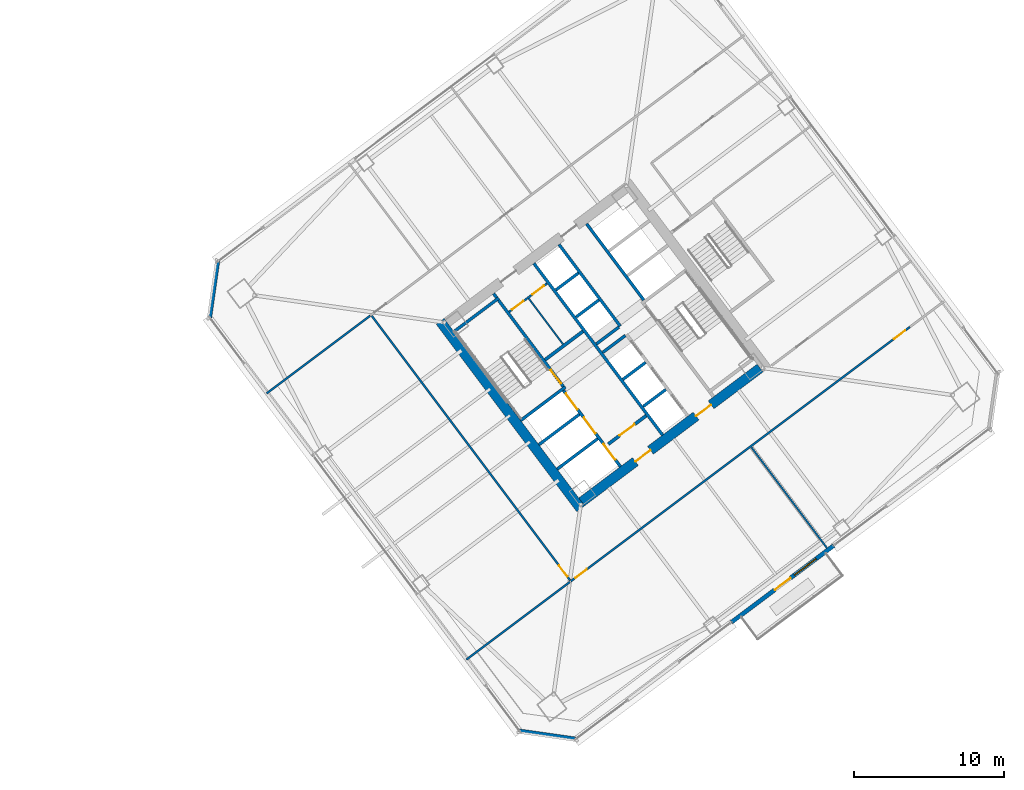
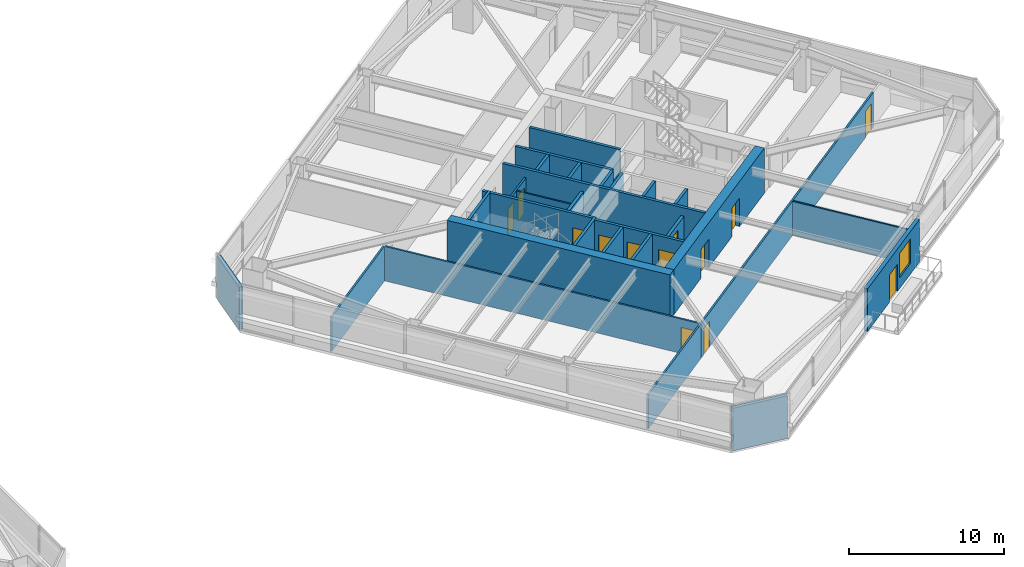
# One storey, part 38 of 47: 29 walls, 13 doors, 1 window, 14 openings.
"""IFC4 building model written with IfcOpenShell, lengths in metres."""

from ifc_helpers import new_model, si_unit, direction, frame, frame_2d, origin, place, context, subcontext, project, spatial, rectangle, extrude, material, layer, layer_set, type_object, element, fill, save


model = new_model("IFC4")

# Units and contexts
model_context = context("Model", 3, precision=1e-05, world=origin(), true_north=direction((0.0, 1.0)))
body_context = subcontext(model_context, "Body", "Model", "MODEL_VIEW")
ifc_project = project(units=[si_unit("LENGTHUNIT", "METRE"), si_unit("AREAUNIT", "SQUARE_METRE"), si_unit("VOLUMEUNIT", "CUBIC_METRE"), si_unit("PLANEANGLEUNIT", "RADIAN"), si_unit("MASSUNIT", "GRAM", prefix="KILO")], contexts=[model_context])

# Site, building, storey
site_placement = place(None, origin())
site = spatial("IfcSite", under=ifc_project, at=site_placement, CompositionType="ELEMENT")
building_placement = place(site_placement, origin())
building = spatial("IfcBuilding", under=site, at=building_placement, Name="Tashvorn Skyway Center", CompositionType="ELEMENT")
storey_placement = place(building_placement, frame((0.0, 0.0, 81.39990234375)))
storey = spatial("IfcBuildingStorey", under=building, at=storey_placement, Name="L21", CompositionType="ELEMENT", Elevation=81.39990234375)

# Wall
ifc_material_1 = material(Name="Concrete C60/75", Category="concrete")
ifc_layer_1 = layer(ifc_material_1, 0.64990234375)
ifc_layer_set_1 = layer_set([ifc_layer_1], Name="Concrete C60/75")
wall_type_1 = type_object("IfcWallType", Name="WALL-CORE-650", PredefinedType="SHEAR", material=ifc_layer_set_1)
wall_1_placement = place(storey_placement, frame((112.47607421875, 21.10693359375, 0.0), z_axis=(0.0, 0.0, 1.0), x_axis=(-0.600005007985, 0.799996243986, 0.0)))
element("IfcWall", 1, at=wall_1_placement, inside=storey, type_object=wall_type_1, Name="Tower 2 L21 West Core Shear Wall", PredefinedType="SHEAR", context=body_context, shape_type="SweptSolid", body=[
    extrude(rectangle(XDim=15.60009765625, YDim=0.64990234375, at=frame_2d((7.800048828125, 0.0))), origin(), (0.0, 0.0, 1.0), 3.550048828125),
])

# Wall, openings, doors
wall_2_placement = place(storey_placement, frame((124.428955078125, 30.47802734375, 0.0), z_axis=(0.0, 0.0, 1.0), x_axis=(-0.799998028465, -0.600002628705, 0.0)))
wall_2 = element("IfcWall", 2, at=wall_2_placement, inside=storey, type_object=wall_type_1, Name="Tower 2 L21 South Core Shear Wall", PredefinedType="SHEAR", context=body_context, shape_type="SweptSolid", body=[
    extrude(rectangle(XDim=14.85986328125, YDim=0.64990234375, at=frame_2d((7.429931640625, 0.0))), origin(), (0.0, 0.0, 1.0), 3.550048828125),
])
opening_1_placement = place(wall_2_placement, frame((9.1298828125, 0.0, 0.0)))
opening_1 = element("IfcOpeningElement", 3, at=opening_1_placement, cuts=wall_2, Name="Opening D-FFL-1250", PredefinedType="OPENING", context=body_context, shape_type="SweptSolid", body=[
    extrude(rectangle(XDim=1.25, YDim=2.25, at=frame_2d((0.625, 1.125))), frame((0.0, 0.3349609375, 0.0), z_axis=(0.0, -1.0, 0.0), x_axis=(1.0, 0.0, 0.0)), (0.0, 0.0, 1.0), 0.669921875),
])
opening_2_placement = place(wall_2_placement, frame((4.080078125, 0.0, 0.0)))
opening_2 = element("IfcOpeningElement", 4, at=opening_2_placement, cuts=wall_2, Name="Opening D-FFL-1250", PredefinedType="OPENING", context=body_context, shape_type="SweptSolid", body=[
    extrude(rectangle(XDim=1.25, YDim=2.25, at=frame_2d((0.625, 1.125))), frame((0.0, 0.3349609375, 0.0), z_axis=(0.0, -1.0, 0.0), x_axis=(1.0, 0.0, 0.0)), (0.0, 0.0, 1.0), 0.669921875),
])
ifc_material_2 = material(Name="Hollow galvanized steel fire door assembly", Category="steel")
door_type_1 = type_object("IfcDoorType", Name="DOOR-FFL-1250", OperationType="NOTDEFINED", PredefinedType="DOOR", material=ifc_material_2)
door_1_placement = place(opening_1_placement, origin())
door_1 = element("IfcDoor", 5, at=door_1_placement, inside=storey, type_object=door_type_1, Name="Tower 2 L21 Core South Firefighting Exit Door", OperationType="SINGLE_SWING_LEFT", OverallHeight=2.25, OverallWidth=1.25, PredefinedType="DOOR", context=body_context, shape_type="SweptSolid", body=[
    extrude(rectangle(XDim=1.25, YDim=2.25, at=frame_2d((0.625, 1.125))), frame((0.0, 0.02490234375, 0.0), z_axis=(0.0, -1.0, 0.0), x_axis=(1.0, 0.0, 0.0)), (0.0, 0.0, 1.0), 0.050048828125),
])
fill(opening_1, door_1)
door_2_placement = place(opening_2_placement, origin())
door_2 = element("IfcDoor", 6, at=door_2_placement, inside=storey, type_object=door_type_1, Name="Tower 2 L21 Core South Lift Lobby Door", OperationType="SINGLE_SWING_RIGHT", OverallHeight=2.25, OverallWidth=1.25, PredefinedType="DOOR", context=body_context, shape_type="SweptSolid", body=[
    extrude(rectangle(XDim=1.25, YDim=2.25, at=frame_2d((0.625, 1.125))), frame((0.0, 0.02490234375, 0.0), z_axis=(0.0, -1.0, 0.0), x_axis=(1.0, 0.0, 0.0)), (0.0, 0.0, 1.0), 0.050048828125),
])
fill(opening_2, door_2)

# Wall, openings, door, window
ifc_material_3 = material(Name="Precast concrete C40/50", Category="concrete")
ifc_layer_2 = layer(ifc_material_3, 0.280029296875)
ifc_layer_set_2 = layer_set([ifc_layer_2], Name="Precast concrete C40/50")
wall_type_2 = type_object("IfcWallType", Name="WALL-EXT-280", PredefinedType="SOLIDWALL", material=ifc_layer_set_2)
wall_3_placement = place(storey_placement, frame((129.327880859375, 18.64599609375, 0.0), z_axis=(0.0, 0.0, 1.0), x_axis=(-0.799986212866, -0.600018382406, 0.0)))
wall_3 = element("IfcWall", 7, at=wall_3_placement, inside=storey, type_object=wall_type_2, Name="Tower 2 L21 South Terrace Portal Wall", PredefinedType="SOLIDWALL", context=body_context, shape_type="SweptSolid", body=[
    extrude(rectangle(XDim=8.5, YDim=0.280029296875, at=frame_2d((4.25, 0.0))), origin(), (0.0, 0.0, 1.0), 3.35009765625),
])
opening_3_placement = place(wall_3_placement, frame((3.60009765625, 0.0, 0.0)))
opening_3 = element("IfcOpeningElement", 8, at=opening_3_placement, cuts=wall_3, Name="Opening D-TER-1300", PredefinedType="OPENING", context=body_context, shape_type="SweptSolid", body=[
    extrude(rectangle(XDim=1.300048828125, YDim=2.14990234375, at=frame_2d((0.64990234375, 1.074951171875))), frame((0.0, 0.14990234375, 0.0), z_axis=(0.0, -1.0, 0.0), x_axis=(1.0, 0.0, 0.0)), (0.0, 0.0, 1.0), 0.300048828125),
])
opening_4_placement = place(wall_3_placement, frame((1.4599609375, 0.0, 0.85009765625)))
opening_4 = element("IfcOpeningElement", 9, at=opening_4_placement, cuts=wall_3, Name="Opening WIN-1800", PredefinedType="OPENING", context=body_context, shape_type="SweptSolid", body=[
    extrude(rectangle(XDim=1.800048828125, YDim=1.919921875, at=frame_2d((0.89990234375, 0.9599609375))), frame((0.0, 0.14990234375, 0.0), z_axis=(0.0, -1.0, 0.0), x_axis=(1.0, 0.0, 0.0)), (0.0, 0.0, 1.0), 0.300048828125),
])
ifc_material_4 = material(Name="Thermally broken bronze-anodized aluminium 6063-T6", Category="aluminium")
door_type_2 = type_object("IfcDoorType", Name="DOOR-TERR-1300", OperationType="NOTDEFINED", PredefinedType="DOOR", material=ifc_material_4)
door_3_placement = place(opening_3_placement, origin())
door_3 = element("IfcDoor", 10, at=door_3_placement, inside=storey, type_object=door_type_2, Name="Tower 2 L21 Terrace Access Door", OperationType="SINGLE_SWING_RIGHT", OverallHeight=2.14990234375, OverallWidth=1.300048828125, PredefinedType="DOOR", context=body_context, shape_type="SweptSolid", body=[
    extrude(rectangle(XDim=1.300048828125, YDim=2.14990234375, at=frame_2d((0.64990234375, 1.074951171875))), frame((0.0, 0.02490234375, 0.0), z_axis=(0.0, -1.0, 0.0), x_axis=(1.0, 0.0, 0.0)), (0.0, 0.0, 1.0), 0.050048828125),
])
fill(opening_3, door_3)
ifc_material_5 = material(Name="Low-E solar-control double insulating safety glass", Category="glass")
window_type = type_object("IfcWindowType", Name="WIN-TERR-1800", PartitioningType="SINGLE_PANEL", PredefinedType="WINDOW", material=ifc_material_5)
window_placement = place(opening_4_placement, origin())
window = element("IfcWindow", 11, at=window_placement, inside=storey, type_object=window_type, Name="Tower 2 L21 Terrace Window", OverallHeight=1.919921875, OverallWidth=1.800048828125, PartitioningType="SINGLE_PANEL", PredefinedType="WINDOW", context=body_context, shape_type="SweptSolid", body=[
    extrude(rectangle(XDim=1.800048828125, YDim=1.919921875, at=frame_2d((0.89990234375, 0.9599609375))), frame((0.0, 0.030029296875, 0.0), z_axis=(0.0, -1.0, 0.0), x_axis=(1.0, 0.0, 0.0)), (0.0, 0.0, 1.0), 0.06005859375),
])
fill(opening_4, window)

# Walls
for number, where, z_axis, x_axis, name in (
    (12, (112.179931640625, 5.760009765625, 0.0), (0.0, 0.0, 1.0), (-0.989948214866, 0.141430307517, 0.0), "Tower 2 L21 SW Precast Chamfer Wall"),
    (13, (87.760009765625, 33.820068359375, 0.0), (0.0, 0.0, 1.0), (0.141430307517, 0.989948214866, 0.0), "Tower 2 L21 NW Precast Chamfer Wall"),
):
    element("IfcWall", number, at=place(storey_placement, frame(where, z_axis=z_axis, x_axis=x_axis)), inside=storey, type_object=wall_type_2, Name=name, PredefinedType="SOLIDWALL", context=body_context, shape_type="SweptSolid", body=[
        extrude(rectangle(XDim=3.818359375, YDim=0.280029296875, at=frame_2d((1.9091796875, 0.0))), origin(), (0.0, 0.0, 1.0), 3.35009765625),
    ])
ifc_material_6 = material(Name="Concrete C40/50", Category="concrete")
ifc_layer_3 = layer(ifc_material_6, 0.219970703125)
ifc_layer_set_3 = layer_set([ifc_layer_3], Name="Concrete C40/50")
wall_type_3 = type_object("IfcWallType", Name="WALL-FFL-220", PredefinedType="SOLIDWALL", material=ifc_layer_set_3)
wall_4_placement = place(storey_placement, frame((110.10400390625, 31.028076171875, 0.0), z_axis=(0.0, 0.0, 1.0), x_axis=(0.800018601094, 0.59997519774, 0.0)))
element("IfcWall", 14, at=wall_4_placement, inside=storey, type_object=wall_type_3, Name="Tower 2 L21 Firefighting Lobby North Wall", PredefinedType="SOLIDWALL", context=body_context, shape_type="SweptSolid", body=[
    extrude(rectangle(XDim=3.14990234375, YDim=0.219970703125, at=frame_2d((1.574951171875, 0.0))), origin(), (0.0, 0.0, 1.0), 2.703125),
])

# Wall, opening, door
wall_5_placement = place(storey_placement, frame((114.31591796875, 25.412109375, 0.0), z_axis=(0.0, 0.0, 1.0), x_axis=(0.800018601094, 0.59997519774, 0.0)))
wall_5 = element("IfcWall", 15, at=wall_5_placement, inside=storey, type_object=wall_type_3, Name="Tower 2 L21 Firefighting Lobby South Wall", PredefinedType="SOLIDWALL", context=body_context, shape_type="SweptSolid", body=[
    extrude(rectangle(XDim=3.14990234375, YDim=0.219970703125, at=frame_2d((1.574951171875, 0.0))), origin(), (0.0, 0.0, 1.0), 2.703125),
])
opening_5_placement = place(wall_5_placement, frame((0.949951171875, 0.0, 0.0)))
opening_5 = element("IfcOpeningElement", 16, at=opening_5_placement, cuts=wall_5, Name="Opening D-FFL-1250", PredefinedType="OPENING", context=body_context, shape_type="SweptSolid", body=[
    extrude(rectangle(XDim=1.25, YDim=2.25, at=frame_2d((0.625, 1.125))), frame((0.0, 0.119873046875, 0.0), z_axis=(0.0, -1.0, 0.0), x_axis=(1.0, 0.0, 0.0)), (0.0, 0.0, 1.0), 0.239990234375),
])
door_4_placement = place(opening_5_placement, origin())
door_4 = element("IfcDoor", 17, at=door_4_placement, inside=storey, type_object=door_type_1, Name="Tower 2 L21 Firefighting Lobby Egress Door", OperationType="SINGLE_SWING_LEFT", OverallHeight=2.25, OverallWidth=1.25, PredefinedType="DOOR", context=body_context, shape_type="SweptSolid", body=[
    extrude(rectangle(XDim=1.25, YDim=2.25, at=frame_2d((0.625, 1.125))), frame((0.0, 0.02490234375, 0.0), z_axis=(0.0, -1.0, 0.0), x_axis=(1.0, 0.0, 0.0)), (0.0, 0.0, 1.0), 0.050048828125),
])
fill(opening_5, door_4)

# Wall
ifc_material_7 = material(Name="Gypsum board on cold-formed steel stud framing", Category="steel")
ifc_layer_4 = layer(ifc_material_7, 0.110107421875)
ifc_layer_set_4 = layer_set([ifc_layer_4], Name="Gypsum board on cold-formed steel stud framing")
wall_type_4 = type_object("IfcWallType", Name="WALL-PART-110", PredefinedType="PARTITIONING", material=ifc_layer_set_4)
wall_6_placement = place(storey_placement, frame((128.8779296875, 18.49609375, 0.0), z_axis=(0.0, 0.0, 1.0), x_axis=(-0.599995338474, 0.800003496123, 0.0)))
element("IfcWall", 18, at=wall_6_placement, inside=storey, type_object=wall_type_4, Name="Tower 2 L21 South Suite Partition 1", PredefinedType="PARTITIONING", context=body_context, shape_type="SweptSolid", body=[
    extrude(rectangle(XDim=8.3798828125, YDim=0.110107421875, at=frame_2d((4.18994140625, 0.0))), origin(), (0.0, 0.0, 1.0), 2.703125),
])

# Wall, openings, doors
ifc_layer_5 = layer(ifc_material_7, 0.135009765625)
ifc_layer_set_5 = layer_set([ifc_layer_5], Name="Gypsum board on cold-formed steel stud framing")
wall_type_5 = type_object("IfcWallType", Name="WALL-PART-135", PredefinedType="PARTITIONING", material=ifc_layer_set_5)
wall_7_placement = place(storey_placement, frame((134.402099609375, 33.214111328125, 0.0), z_axis=(0.0, 0.0, 1.0), x_axis=(-0.799995848831, -0.600005534853, 0.0)))
wall_7 = element("IfcWall", 19, at=wall_7_placement, inside=storey, type_object=wall_type_5, Name="Tower 2 L21 South Suite Wall", PredefinedType="PARTITIONING", context=body_context, shape_type="SweptSolid", body=[
    extrude(rectangle(XDim=28.230224609375, YDim=0.135009765625, at=frame_2d((14.115234375, 0.0))), origin(), (0.0, 0.0, 1.0), 2.703125),
])
opening_6_placement = place(wall_7_placement, frame((26.89990234375, 0.0, 0.0)))
opening_6 = element("IfcOpeningElement", 20, at=opening_6_placement, cuts=wall_7, Name="Opening D-INT-950", PredefinedType="OPENING", context=body_context, shape_type="SweptSolid", body=[
    extrude(rectangle(XDim=0.949951171875, YDim=2.050048828125, at=frame_2d((0.47509765625, 1.02490234375))), frame((0.0, 0.077392578125, 0.0), z_axis=(0.0, -1.0, 0.0), x_axis=(1.0, 0.0, 0.0)), (0.0, 0.0, 1.0), 0.155029296875),
])
opening_7_placement = place(wall_7_placement, frame((0.3798828125, 0.0, 0.0)))
opening_7 = element("IfcOpeningElement", 21, at=opening_7_placement, cuts=wall_7, Name="Opening D-INT-950", PredefinedType="OPENING", context=body_context, shape_type="SweptSolid", body=[
    extrude(rectangle(XDim=0.949951171875, YDim=2.050048828125, at=frame_2d((0.47509765625, 1.02490234375))), frame((0.0, 0.077392578125, 0.0), z_axis=(0.0, -1.0, 0.0), x_axis=(1.0, 0.0, 0.0)), (0.0, 0.0, 1.0), 0.155029296875),
])
ifc_material_8 = material(Name="Solid-core architectural oak veneer door")
door_type_3 = type_object("IfcDoorType", Name="DOOR-INT-950", OperationType="NOTDEFINED", PredefinedType="DOOR", material=ifc_material_8)
door_5_placement = place(opening_6_placement, origin())
door_5 = element("IfcDoor", 22, at=door_5_placement, inside=storey, type_object=door_type_3, Name="Tower 2 L21 Executive Study Lounge Door", OperationType="SINGLE_SWING_RIGHT", OverallHeight=2.050048828125, OverallWidth=0.949951171875, PredefinedType="DOOR", context=body_context, shape_type="SweptSolid", body=[
    extrude(rectangle(XDim=0.949951171875, YDim=2.050048828125, at=frame_2d((0.47509765625, 1.02490234375))), frame((0.0, 0.02490234375, 0.0), z_axis=(0.0, -1.0, 0.0), x_axis=(1.0, 0.0, 0.0)), (0.0, 0.0, 1.0), 0.050048828125),
])
fill(opening_6, door_5)
door_6_placement = place(opening_7_placement, origin())
door_6 = element("IfcDoor", 23, at=door_6_placement, inside=storey, type_object=door_type_3, Name="Tower 2 L21 Reading Lounge Door", OperationType="SINGLE_SWING_LEFT", OverallHeight=2.050048828125, OverallWidth=0.949951171875, PredefinedType="DOOR", context=body_context, shape_type="SweptSolid", body=[
    extrude(rectangle(XDim=0.949951171875, YDim=2.050048828125, at=frame_2d((0.47509765625, 1.02490234375))), frame((0.0, 0.02490234375, 0.0), z_axis=(0.0, -1.0, 0.0), x_axis=(1.0, 0.0, 0.0)), (0.0, 0.0, 1.0), 0.050048828125),
])
fill(opening_7, door_6)

# Wall, opening, door
wall_8_placement = place(storey_placement, frame((111.77001953125, 16.340087890625, 0.0), z_axis=(0.0, 0.0, 1.0), x_axis=(-0.600003549523, 0.799997337845, 0.0)))
wall_8 = element("IfcWall", 24, at=wall_8_placement, inside=storey, type_object=wall_type_5, Name="Tower 2 L21 West Inner Suite Wall", PredefinedType="PARTITIONING", context=body_context, shape_type="SweptSolid", body=[
    extrude(rectangle(XDim=22.010009765625, YDim=0.135009765625, at=frame_2d((11.0048828125, 0.0))), origin(), (0.0, 0.0, 1.0), 2.703125),
])
opening_8_placement = place(wall_8_placement, frame((0.300048828125, 0.0, 0.0)))
opening_8 = element("IfcOpeningElement", 25, at=opening_8_placement, cuts=wall_8, Name="Opening D-INT-950", PredefinedType="OPENING", context=body_context, shape_type="SweptSolid", body=[
    extrude(rectangle(XDim=0.949951171875, YDim=2.050048828125, at=frame_2d((0.47509765625, 1.02490234375))), frame((0.0, 0.077392578125, 0.0), z_axis=(0.0, -1.0, 0.0), x_axis=(1.0, 0.0, 0.0)), (0.0, 0.0, 1.0), 0.155029296875),
])
door_7_placement = place(opening_8_placement, origin())
door_7 = element("IfcDoor", 26, at=door_7_placement, inside=storey, type_object=door_type_3, Name="Tower 2 L21 Reading Lounge Door", OperationType="SINGLE_SWING_RIGHT", OverallHeight=2.050048828125, OverallWidth=0.949951171875, PredefinedType="DOOR", context=body_context, shape_type="SweptSolid", body=[
    extrude(rectangle(XDim=0.949951171875, YDim=2.050048828125, at=frame_2d((0.47509765625, 1.02490234375))), frame((0.0, 0.02490234375, 0.0), z_axis=(0.0, -1.0, 0.0), x_axis=(1.0, 0.0, 0.0)), (0.0, 0.0, 1.0), 0.050048828125),
])
fill(opening_8, door_7)

# Walls
for number, where, z_axis, x_axis, name in (
    (27, (98.451904296875, 33.964111328125, 0.0), (0.0, 0.0, 1.0), (-0.799993202584, -0.600009063115, 0.0), "Tower 2 L21 West Suite North Wall"),
    (28, (104.85791015625, 11.055908203125, 0.0), (0.0, 0.0, 1.0), (0.799993202584, 0.600009063115, 0.0), "Tower 2 L21 West Suite South Wall"),
):
    element("IfcWall", number, at=place(storey_placement, frame(where, z_axis=z_axis, x_axis=x_axis)), inside=storey, type_object=wall_type_5, Name=name, PredefinedType="PARTITIONING", context=body_context, shape_type="SweptSolid", body=[
        extrude(rectangle(XDim=8.6201171875, YDim=0.135009765625, at=frame_2d((4.31005859375, 0.0))), origin(), (0.0, 0.0, 1.0), 2.703125),
    ])
ifc_layer_6 = layer(ifc_material_7, 0.110107421875)
ifc_layer_set_6 = layer_set([ifc_layer_6], Name="Gypsum board on cold-formed steel stud framing")
wall_type_6 = type_object("IfcWallType", Name="WALL-RATED-110", PredefinedType="PARTITIONING", material=ifc_layer_set_6)
wall_9_placement = place(storey_placement, frame((111.2958984375, 32.072021484375, 0.0), z_axis=(0.0, 0.0, 1.0), x_axis=(-0.59995887973, 0.800030838552, 0.0)))
element("IfcWall", 29, at=wall_9_placement, inside=storey, type_object=wall_type_6, Name="Tower 2 L21 Core Split Partition", PredefinedType="PARTITIONING", context=body_context, shape_type="SweptSolid", body=[
    extrude(rectangle(XDim=3.7998046875, YDim=0.110107421875, at=frame_2d((1.89990234375, 0.0))), origin(), (0.0, 0.0, 1.0), 2.703125),
])

# Wall, openings, doors
ifc_layer_7 = layer(ifc_material_7, 0.135009765625)
ifc_layer_set_7 = layer_set([ifc_layer_7], Name="Gypsum board on cold-formed steel stud framing")
wall_type_7 = type_object("IfcWallType", Name="WALL-RATED-135", PredefinedType="PARTITIONING", material=ifc_layer_set_7)
wall_10_placement = place(storey_placement, frame((107.7099609375, 34.219970703125, 0.0), z_axis=(0.0, 0.0, 1.0), x_axis=(0.799981399002, 0.60002480053, 0.0)))
wall_10 = element("IfcWall", 30, at=wall_10_placement, inside=storey, type_object=wall_type_7, Name="Tower 2 L21 Core Service Lobby Wall", PredefinedType="PARTITIONING", context=body_context, shape_type="SweptSolid", body=[
    extrude(rectangle(XDim=3.150146484375, YDim=0.135009765625, at=frame_2d((1.5751953125, 0.0))), origin(), (0.0, 0.0, 1.0), 2.703125),
])
opening_9_placement = place(wall_10_placement, frame((0.25, 0.0, 0.0)))
opening_9 = element("IfcOpeningElement", 31, at=opening_9_placement, cuts=wall_10, Name="Opening D-RT-950", PredefinedType="OPENING", context=body_context, shape_type="SweptSolid", body=[
    extrude(rectangle(XDim=0.949951171875, YDim=2.050048828125, at=frame_2d((0.47509765625, 1.02490234375))), frame((0.0, 0.077392578125, 0.0), z_axis=(0.0, -1.0, 0.0), x_axis=(1.0, 0.0, 0.0)), (0.0, 0.0, 1.0), 0.155029296875),
])
opening_10_placement = place(wall_10_placement, frame((1.949951171875, 0.0, 0.0)))
opening_10 = element("IfcOpeningElement", 32, at=opening_10_placement, cuts=wall_10, Name="Opening D-RT-950", PredefinedType="OPENING", context=body_context, shape_type="SweptSolid", body=[
    extrude(rectangle(XDim=0.949951171875, YDim=2.050048828125, at=frame_2d((0.47509765625, 1.02490234375))), frame((0.0, 0.077392578125, 0.0), z_axis=(0.0, -1.0, 0.0), x_axis=(1.0, 0.0, 0.0)), (0.0, 0.0, 1.0), 0.155029296875),
])
door_type_4 = type_object("IfcDoorType", Name="DOOR-RATED-950", OperationType="NOTDEFINED", PredefinedType="DOOR", material=ifc_material_2)
door_8_placement = place(opening_9_placement, origin())
door_8 = element("IfcDoor", 33, at=door_8_placement, inside=storey, type_object=door_type_4, Name="Tower 2 L21 Core Accessible WC Door", OperationType="SINGLE_SWING_LEFT", OverallHeight=2.050048828125, OverallWidth=0.949951171875, PredefinedType="DOOR", context=body_context, shape_type="SweptSolid", body=[
    extrude(rectangle(XDim=0.949951171875, YDim=2.050048828125, at=frame_2d((0.47509765625, 1.02490234375))), frame((0.0, 0.02490234375, 0.0), z_axis=(0.0, -1.0, 0.0), x_axis=(1.0, 0.0, 0.0)), (0.0, 0.0, 1.0), 0.050048828125),
])
fill(opening_9, door_8)
door_9_placement = place(opening_10_placement, origin())
door_9 = element("IfcDoor", 34, at=door_9_placement, inside=storey, type_object=door_type_4, Name="Tower 2 L21 Core Cleaner Store Door", OperationType="SINGLE_SWING_RIGHT", OverallHeight=2.050048828125, OverallWidth=0.949951171875, PredefinedType="DOOR", context=body_context, shape_type="SweptSolid", body=[
    extrude(rectangle(XDim=0.949951171875, YDim=2.050048828125, at=frame_2d((0.47509765625, 1.02490234375))), frame((0.0, 0.02490234375, 0.0), z_axis=(0.0, -1.0, 0.0), x_axis=(1.0, 0.0, 0.0)), (0.0, 0.0, 1.0), 0.050048828125),
])
fill(opening_10, door_9)

# Walls
ifc_layer_8 = layer(ifc_material_6, 0.199951171875)
ifc_layer_set_8 = layer_set([ifc_layer_8], Name="Concrete C40/50")
wall_type_8 = type_object("IfcWallType", Name="WALL-SHAFT-200", PredefinedType="SOLIDWALL", material=ifc_layer_set_8)
for number, where, z_axis, x_axis, name in (
    (35, (110.906005859375, 23.741943359375, 0.0), (0.0, 0.0, 1.0), (0.8, 0.6, 0.0), "Tower 2 L21 FSAE Shaft Divider"),
    (36, (109.68798828125, 25.365966796875, 0.0), (0.0, 0.0, 1.0), (0.8, 0.6, 0.0), "Tower 2 L21 FSAE Shaft Divider"),
):
    element("IfcWall", number, at=place(storey_placement, frame(where, z_axis=z_axis, x_axis=x_axis)), inside=storey, type_object=wall_type_8, Name=name, PredefinedType="SOLIDWALL", context=body_context, shape_type="SweptSolid", body=[
        extrude(rectangle(XDim=3.380126953125, YDim=0.199951171875, at=frame_2d((1.68994140625, 0.0))), origin(), (0.0, 0.0, 1.0), 3.35009765625),
    ])
wall_11_placement = place(storey_placement, frame((116.64599609375, 27.922119140625, 0.0), z_axis=(0.0, 0.0, 1.0), x_axis=(0.8, 0.6, 0.0)))
element("IfcWall", 37, at=wall_11_placement, inside=storey, type_object=wall_type_8, Name="Tower 2 L21 Low-Rise Shaft Divider", PredefinedType="SOLIDWALL", context=body_context, shape_type="SweptSolid", body=[
    extrude(rectangle(XDim=1.8798828125, YDim=0.199951171875, at=frame_2d((0.93994140625, 0.0))), origin(), (0.0, 0.0, 1.0), 3.35009765625),
])
wall_12_placement = place(storey_placement, frame((115.2958984375, 29.721923828125, 0.0), z_axis=(0.0, 0.0, 1.0), x_axis=(0.799984418148, 0.600020775241, 0.0)))
element("IfcWall", 38, at=wall_12_placement, inside=storey, type_object=wall_type_8, Name="Tower 2 L21 Low-Rise Shaft Divider", PredefinedType="SOLIDWALL", context=body_context, shape_type="SweptSolid", body=[
    extrude(rectangle(XDim=1.880126953125, YDim=0.199951171875, at=frame_2d((0.93994140625, 0.0))), origin(), (0.0, 0.0, 1.0), 3.35009765625),
])
wall_13_placement = place(storey_placement, frame((113.946044921875, 31.52197265625, 0.0), z_axis=(0.0, 0.0, 1.0), x_axis=(0.8, 0.6, 0.0)))
element("IfcWall", 39, at=wall_13_placement, inside=storey, type_object=wall_type_8, Name="Tower 2 L21 Low-Rise Shaft Divider", PredefinedType="SOLIDWALL", context=body_context, shape_type="SweptSolid", body=[
    extrude(rectangle(XDim=1.8798828125, YDim=0.199951171875, at=frame_2d((0.93994140625, 0.0))), origin(), (0.0, 0.0, 1.0), 3.35009765625),
])
wall_14_placement = place(storey_placement, frame((115.110107421875, 33.27001953125, 0.0), z_axis=(0.0, 0.0, 1.0), x_axis=(-0.600011488909, 0.79999138319, 0.0)))
element("IfcWall", 40, at=wall_14_placement, inside=storey, type_object=wall_type_8, Name="Tower 2 L21 Mid-Rise Core Wall", PredefinedType="SOLIDWALL", context=body_context, shape_type="SweptSolid", body=[
    extrude(rectangle(XDim=6.800048828125, YDim=0.199951171875, at=frame_2d((3.39990234375, 0.0))), origin(), (0.0, 0.0, 1.0), 3.35009765625),
])
wall_15_placement = place(storey_placement, frame((113.52587890625, 32.08203125, 0.0), z_axis=(0.0, 0.0, 1.0), x_axis=(0.800046745961, 0.599937666993, 0.0)))
element("IfcWall", 41, at=wall_15_placement, inside=storey, type_object=wall_type_8, Name="Tower 2 L21 Mid-Rise Shaft Divider", PredefinedType="SOLIDWALL", context=body_context, shape_type="SweptSolid", body=[
    extrude(rectangle(XDim=1.880126953125, YDim=0.199951171875, at=frame_2d((0.93994140625, 0.0))), origin(), (0.0, 0.0, 1.0), 3.35009765625),
])
wall_16_placement = place(storey_placement, frame((112.176025390625, 33.882080078125, 0.0), z_axis=(0.0, 0.0, 1.0), x_axis=(0.8, 0.6, 0.0)))
element("IfcWall", 42, at=wall_16_placement, inside=storey, type_object=wall_type_8, Name="Tower 2 L21 Mid-Rise Shaft Divider", PredefinedType="SOLIDWALL", context=body_context, shape_type="SweptSolid", body=[
    extrude(rectangle(XDim=1.8798828125, YDim=0.199951171875, at=frame_2d((0.93994140625, 0.0))), origin(), (0.0, 0.0, 1.0), 3.35009765625),
])
wall_17_placement = place(storey_placement, frame((110.825927734375, 35.681884765625, 0.0), z_axis=(0.0, 0.0, 1.0), x_axis=(0.799984418148, 0.600020775241, 0.0)))
element("IfcWall", 43, at=wall_17_placement, inside=storey, type_object=wall_type_8, Name="Tower 2 L21 Mid-Rise Shaft Divider", PredefinedType="SOLIDWALL", context=body_context, shape_type="SweptSolid", body=[
    extrude(rectangle(XDim=1.880126953125, YDim=0.199951171875, at=frame_2d((0.93994140625, 0.0))), origin(), (0.0, 0.0, 1.0), 3.35009765625),
])

# Wall, opening, door
ifc_layer_9 = layer(ifc_material_6, 0.199951171875)
ifc_layer_set_9 = layer_set([ifc_layer_9], Name="Concrete C40/50")
wall_type_9 = type_object("IfcWallType", Name="WALL-STSHF-200", PredefinedType="SHEAR", material=ifc_layer_set_9)
wall_18_placement = place(storey_placement, frame((111.43994140625, 29.080078125, 0.0), z_axis=(0.0, 0.0, 1.0), x_axis=(-0.600009827119, 0.799992629566, 0.0)))
wall_18 = element("IfcWall", 44, at=wall_18_placement, inside=storey, type_object=wall_type_9, Name="Tower 2 L21 Stair 1 Enclosure Wall", PredefinedType="SHEAR", context=body_context, shape_type="SweptSolid", body=[
    extrude(rectangle(XDim=7.949951171875, YDim=0.199951171875, at=frame_2d((3.97509765625, 0.0))), origin(), (0.0, 0.0, 1.0), 3.35009765625),
])
opening_11_placement = place(wall_18_placement, frame((0.449951171875, 0.0, 0.0)))
opening_11 = element("IfcOpeningElement", 45, at=opening_11_placement, cuts=wall_18, Name="Opening D-ST-1150", PredefinedType="OPENING", context=body_context, shape_type="SweptSolid", body=[
    extrude(rectangle(XDim=1.14990234375, YDim=2.199951171875, at=frame_2d((0.574951171875, 1.10009765625))), frame((0.0, 0.10986328125, 0.0), z_axis=(0.0, -1.0, 0.0), x_axis=(1.0, 0.0, 0.0)), (0.0, 0.0, 1.0), 0.219970703125),
])
door_type_5 = type_object("IfcDoorType", Name="DOOR-STAIR-1150", OperationType="NOTDEFINED", PredefinedType="DOOR", material=ifc_material_2)
door_10_placement = place(opening_11_placement, origin())
door_10 = element("IfcDoor", 46, at=door_10_placement, inside=storey, type_object=door_type_5, Name="Tower 2 L21 Exit Stair 1 Door", OperationType="SINGLE_SWING_RIGHT", OverallHeight=2.199951171875, OverallWidth=1.14990234375, PredefinedType="DOOR", context=body_context, shape_type="SweptSolid", body=[
    extrude(rectangle(XDim=1.14990234375, YDim=2.199951171875, at=frame_2d((0.574951171875, 1.10009765625))), frame((0.0, 0.02490234375, 0.0), z_axis=(0.0, -1.0, 0.0), x_axis=(1.0, 0.0, 0.0)), (0.0, 0.0, 1.0), 0.050048828125),
])
fill(opening_11, door_10)

# Walls
for number, where, z_axis, x_axis, name in (
    (47, (108.47607421875, 26.98193359375, 0.0), (0.0, 0.0, 1.0), (0.799984290658, 0.600020945218, 0.0), "Tower 2 L21 Stair 1 South Wall"),
    (48, (104.035888671875, 32.902099609375, 0.0), (0.0, 0.0, 1.0), (0.800039270442, 0.59994763584, 0.0), "Tower 2 L21 Stair 1 North Wall"),
):
    element("IfcWall", number, at=place(storey_placement, frame(where, z_axis=z_axis, x_axis=x_axis)), inside=storey, type_object=wall_type_9, Name=name, PredefinedType="SHEAR", context=body_context, shape_type="SweptSolid", body=[
        extrude(rectangle(XDim=3.72998046875, YDim=0.199951171875, at=frame_2d((1.864990234375, 0.0))), origin(), (0.0, 0.0, 1.0), 3.35009765625),
    ])
wall_19_placement = place(storey_placement, frame((117.93798828125, 26.01611328125, 0.0), z_axis=(0.0, 0.0, 1.0), x_axis=(-0.600005463273, 0.799995902516, 0.0)))
element("IfcWall", 49, at=wall_19_placement, inside=storey, type_object=wall_type_9, Name="Tower 2 L21 Firefighting Lobby East Smoke Barrier", PredefinedType="SHEAR", context=body_context, shape_type="SweptSolid", body=[
    extrude(rectangle(XDim=14.300048828125, YDim=0.199951171875, at=frame_2d((7.14990234375, 0.0))), origin(), (0.0, 0.0, 1.0), 3.35009765625),
])

# Wall, openings, doors
wall_20_placement = place(storey_placement, frame((115.1298828125, 23.909912109375, 0.0), z_axis=(0.0, 0.0, 1.0), x_axis=(-0.599975393228, 0.800018454488, 0.0)))
wall_20 = element("IfcWall", 50, at=wall_20_placement, inside=storey, type_object=wall_type_9, Name="Tower 2 L21 FSAE and Goods Shaft Front Wall", PredefinedType="SHEAR", context=body_context, shape_type="SweptSolid", body=[
    extrude(rectangle(XDim=6.349853515625, YDim=0.199951171875, at=frame_2d((3.1748046875, 0.0))), origin(), (0.0, 0.0, 1.0), 3.35009765625),
])
opening_12_placement = place(wall_20_placement, frame((4.77490234375, 0.0, 0.0)))
opening_12 = element("IfcOpeningElement", 51, at=opening_12_placement, cuts=wall_20, Name="Opening LD-FF-T2-1-L21", PredefinedType="OPENING", context=body_context, shape_type="SweptSolid", body=[
    extrude(rectangle(XDim=1.300048828125, YDim=2.25, at=frame_2d((0.64990234375, 1.125))), frame((0.0, 0.10986328125, 0.0), z_axis=(0.0, -1.0, 0.0), x_axis=(1.0, 0.0, 0.0)), (0.0, 0.0, 1.0), 0.219970703125),
])
opening_13_placement = place(wall_20_placement, frame((2.77490234375, 0.0, 0.0)))
opening_13 = element("IfcOpeningElement", 52, at=opening_13_placement, cuts=wall_20, Name="Opening LD-FF-T2-2-L21", PredefinedType="OPENING", context=body_context, shape_type="SweptSolid", body=[
    extrude(rectangle(XDim=1.300048828125, YDim=2.25, at=frame_2d((0.64990234375, 1.125))), frame((0.0, 0.10986328125, 0.0), z_axis=(0.0, -1.0, 0.0), x_axis=(1.0, 0.0, 0.0)), (0.0, 0.0, 1.0), 0.219970703125),
])
opening_14_placement = place(wall_20_placement, frame((0.574951171875, 0.0, 0.0)))
opening_14 = element("IfcOpeningElement", 53, at=opening_14_placement, cuts=wall_20, Name="Opening LD-GD-T2-1-L21", PredefinedType="OPENING", context=body_context, shape_type="SweptSolid", body=[
    extrude(rectangle(XDim=1.300048828125, YDim=2.25, at=frame_2d((0.64990234375, 1.125))), frame((0.0, 0.10986328125, 0.0), z_axis=(0.0, -1.0, 0.0), x_axis=(1.0, 0.0, 0.0)), (0.0, 0.0, 1.0), 0.219970703125),
])
ifc_material_9 = material(Name="Stainless steel heavy-duty landing door", Category="steel")
door_type_6 = type_object("IfcDoorType", Name="DOOR-LIFT-1300", OperationType="SLIDING_TO_LEFT", PredefinedType="DOOR", material=ifc_material_9)
door_11_placement = place(opening_12_placement, origin())
door_11 = element("IfcDoor", 54, at=door_11_placement, inside=storey, type_object=door_type_6, Name="Lift FF-T2-1 L21 Landing Door", OperationType="SLIDING_TO_LEFT", OverallHeight=2.25, OverallWidth=1.300048828125, PredefinedType="DOOR", context=body_context, shape_type="SweptSolid", body=[
    extrude(rectangle(XDim=1.300048828125, YDim=2.25, at=frame_2d((0.64990234375, 1.125))), frame((0.0, 0.02490234375, 0.0), z_axis=(0.0, -1.0, 0.0), x_axis=(1.0, 0.0, 0.0)), (0.0, 0.0, 1.0), 0.050048828125),
])
fill(opening_12, door_11)
door_12_placement = place(opening_13_placement, origin())
door_12 = element("IfcDoor", 55, at=door_12_placement, inside=storey, type_object=door_type_6, Name="Lift FF-T2-2 L21 Landing Door", OperationType="SLIDING_TO_LEFT", OverallHeight=2.25, OverallWidth=1.300048828125, PredefinedType="DOOR", context=body_context, shape_type="SweptSolid", body=[
    extrude(rectangle(XDim=1.300048828125, YDim=2.25, at=frame_2d((0.64990234375, 1.125))), frame((0.0, 0.02490234375, 0.0), z_axis=(0.0, -1.0, 0.0), x_axis=(1.0, 0.0, 0.0)), (0.0, 0.0, 1.0), 0.050048828125),
])
fill(opening_13, door_12)
door_13_placement = place(opening_14_placement, origin())
door_13 = element("IfcDoor", 56, at=door_13_placement, inside=storey, type_object=door_type_6, Name="Lift GD-T2-1 L21 Landing Door", OperationType="SLIDING_TO_LEFT", OverallHeight=2.25, OverallWidth=1.300048828125, PredefinedType="DOOR", context=body_context, shape_type="SweptSolid", body=[
    extrude(rectangle(XDim=1.300048828125, YDim=2.25, at=frame_2d((0.64990234375, 1.125))), frame((0.0, 0.02490234375, 0.0), z_axis=(0.0, -1.0, 0.0), x_axis=(1.0, 0.0, 0.0)), (0.0, 0.0, 1.0), 0.050048828125),
])
fill(opening_14, door_13)

# Wall
wall_21_placement = place(storey_placement, frame((112.8701171875, 40.090087890625, 0.0), z_axis=(0.0, 0.0, 1.0), x_axis=(0.599975393228, -0.800018454488, 0.0)))
element("IfcWall", 57, at=wall_21_placement, inside=storey, type_object=wall_type_9, Name="Tower 2 L21 High-Rise Lift Shaft Front Wall", PredefinedType="SHEAR", context=body_context, shape_type="SweptSolid", body=[
    extrude(rectangle(XDim=6.349853515625, YDim=0.199951171875, at=frame_2d((3.1748046875, 0.0))), origin(), (0.0, 0.0, 1.0), 3.35009765625),
])

save(model, "model.ifc")
